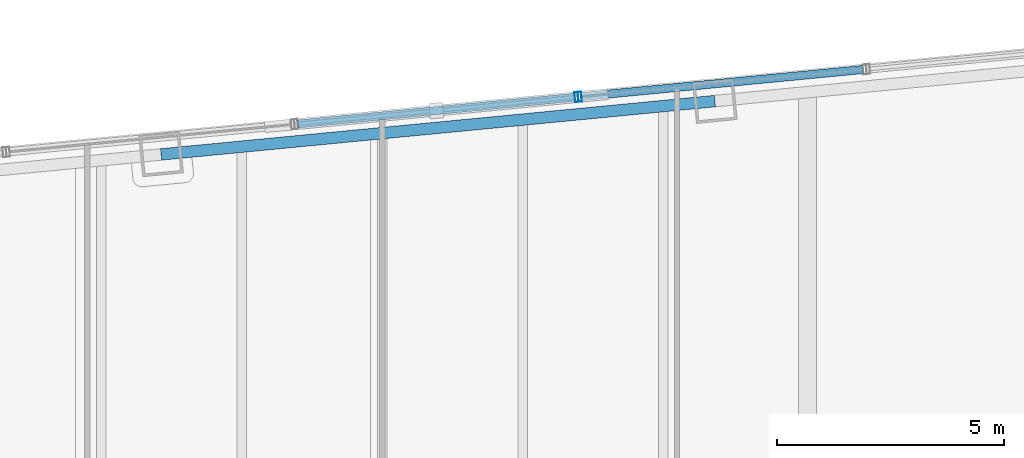
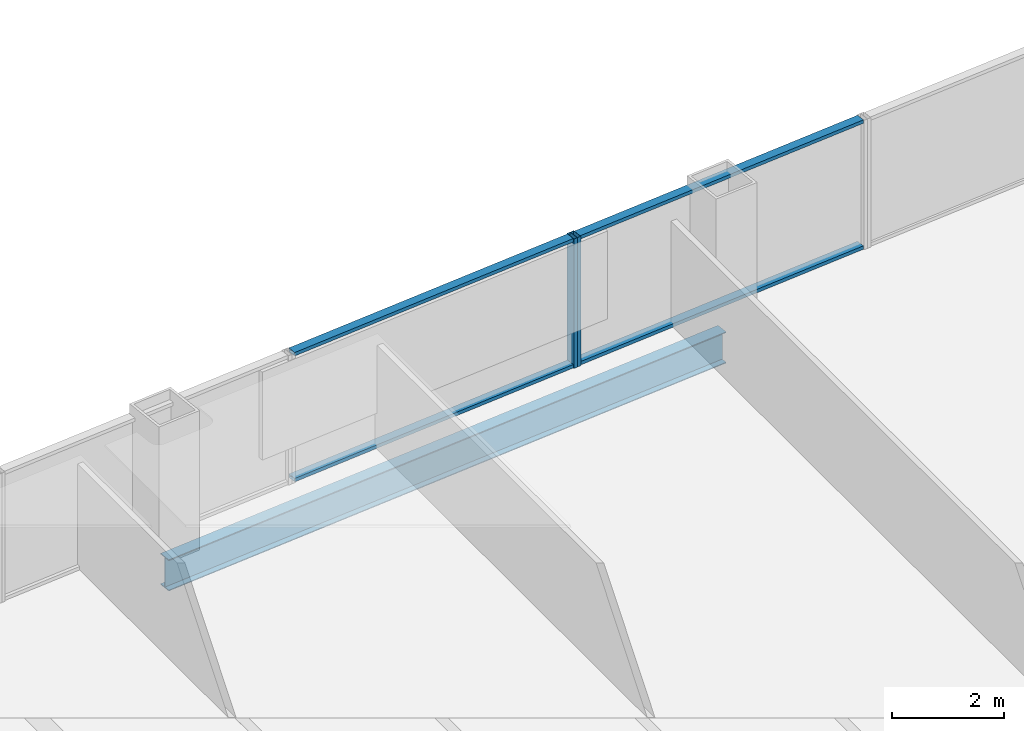
# One storey, part 18 of 28: 6 members, 1 beam, 2 elements without a shape of their own.
"""IFC4 building model written with IfcOpenShell, lengths in metres."""

from ifc_helpers import new_model, si_unit, direction, frame, origin, origin_2d, place, context, subcontext, project, spatial, hollow_rectangle, i_section, extrude, material, layer, layer_set, material_profile, profile_set, type_object, element, aggregate, save


model = new_model("IFC4")

# Units and contexts
model_context = context("Model", 3, precision=1e-05, world=origin(), true_north=direction((0.0, 1.0)))
body_context = subcontext(model_context, "Body", "Model", "MODEL_VIEW")
ifc_project = project(units=[si_unit("LENGTHUNIT", "METRE"), si_unit("AREAUNIT", "SQUARE_METRE"), si_unit("VOLUMEUNIT", "CUBIC_METRE"), si_unit("PLANEANGLEUNIT", "RADIAN"), si_unit("MASSUNIT", "GRAM", prefix="KILO")], contexts=[model_context])

# Site, building, storey
site_placement = place(None, origin())
site = spatial("IfcSite", under=ifc_project, at=site_placement, CompositionType="ELEMENT")
building_placement = place(site_placement, origin())
building = spatial("IfcBuilding", under=site, at=building_placement, Name="Qhalaya Broadcast Tower", CompositionType="ELEMENT")
storey_placement = place(building_placement, frame((0.0, 0.0, 90.800048828125)))
storey = spatial("IfcBuildingStorey", under=building, at=storey_placement, Name="L26", CompositionType="ELEMENT", Elevation=90.800048828125)

# Beam
ifc_material_1 = material(Name="Structural Steel ASTM A992 Grade 50", Category="steel")
ifc_material_profile_1 = material_profile(ifc_material_1, i_section(OverallWidth=0.25390625, OverallDepth=0.68310546875, WebThickness=0.012451171875, FlangeThickness=0.01904296875, at=origin_2d()), Name="W27X94")
ifc_profile_set_1 = profile_set([ifc_material_profile_1], Name="Structural Steel ASTM A992 Grade 50")
beam_type = type_object("IfcBeamType", Name="Perimeter Ring Spandrel Beam SP1", PredefinedType="SPANDREL", material=ifc_profile_set_1)
beam_placement = place(storey_placement, frame((7.335205078125, 28.116943359375, -0.5615234375), z_axis=(-0.99539563662, -0.095851586307, 0.0), x_axis=(0.095851586307, -0.99539563662, 0.0)))
element("IfcBeam", 1, at=beam_placement, inside=storey, type_object=beam_type, Name="L26 SP1 L26-SPR-10", PredefinedType="SPANDREL", context=body_context, shape_type="SweptSolid", body=[
    extrude(i_section(OverallWidth=0.25390625, OverallDepth=0.68310546875, WebThickness=0.012451171875, FlangeThickness=0.01904296875, at=origin_2d()), origin(), (0.0, 0.0, 1.0), 12.2666015625),
])

# Curtain wall, member
ifc_material_2 = material(Name="Solar-Control Low-E Triple Glazing", Category="glass")
ifc_layer_1 = layer(ifc_material_2, 0.219970703125, Name="Solar-Control Low-E Triple Glazing")
ifc_layer_set_1 = layer_set([ifc_layer_1], Name="Solar-Control Low-E Triple Glazing")
curtain_wall_type_1 = type_object("IfcCurtainWallType", Name="Even-Block 4-Storey Double-Module Curtain Wall CW-03", PredefinedType="NOTDEFINED", material=ifc_layer_set_1)
curtain_wall_1_placement = place(storey_placement, origin())
curtain_wall_1 = element("IfcCurtainWall", 2, at=curtain_wall_1_placement, inside=storey, type_object=curtain_wall_type_1, Name="L26 Unitised Curtain Wall L26-CW-N3", PredefinedType="NOTDEFINED")
ifc_material_3 = material(Name="Anodised Aluminium 6063-T6", Category="aluminium")
ifc_material_profile_2 = material_profile(ifc_material_3, hollow_rectangle(XDim=0.074951171875, YDim=0.219970703125, WallThickness=0.00390625, at=origin_2d()), Name="ALU-MUL 75x220x4")
ifc_profile_set_2 = profile_set([ifc_material_profile_2], Name="Anodised Aluminium 6063-T6")
member_type_1 = type_object("IfcMemberType", Name="Unitised Curtain-Wall Mullion M01", PredefinedType="MULLION", material=ifc_profile_set_2)
member_1_placement = place(storey_placement, frame((4.357666015625, 28.2119140625, 0.0), z_axis=(0.0, 0.0, 1.0), x_axis=(-0.99539731409, -0.095834164588, 0.0)))
member_1 = element("IfcMember", 3, at=member_1_placement, type_object=member_type_1, Name="CW-03 mullion 2", PredefinedType="MULLION", context=body_context, shape_type="SweptSolid", body=[
    extrude(hollow_rectangle(XDim=0.074951171875, YDim=0.219970703125, WallThickness=0.00390625, at=origin_2d()), origin(), (0.0, 0.0, 1.0), 2.829833984375),
])

ifc_material_4 = material(Name="Fired Architectural Terracotta", Category="masonry")
ifc_layer_2 = layer(ifc_material_4, 0.219970703125, Name="Fired Architectural Terracotta")
ifc_layer_set_2 = layer_set([ifc_layer_2], Name="Fired Architectural Terracotta")
curtain_wall_type_2 = type_object("IfcCurtainWallType", Name="Block-Cap Unitised Terracotta Spandrel Wall CW-07", PredefinedType="NOTDEFINED", material=ifc_layer_set_2)
curtain_wall_2_placement = place(storey_placement, origin())
curtain_wall_2 = element("IfcCurtainWall", 4, at=curtain_wall_2_placement, inside=storey, type_object=curtain_wall_type_2, Name="L26 Unitised Curtain Wall L26-CW-N4", PredefinedType="NOTDEFINED")
member_2_placement = place(storey_placement, frame((4.282958984375, 28.204833984375, 0.0), z_axis=(0.0, 0.0, 1.0), x_axis=(-0.995394756218, -0.095860728627, 0.0)))
member_2 = element("IfcMember", 5, at=member_2_placement, type_object=member_type_1, Name="CW-07 mullion 1", PredefinedType="MULLION", context=body_context, shape_type="SweptSolid", body=[
    extrude(hollow_rectangle(XDim=0.074951171875, YDim=0.219970703125, WallThickness=0.00390625, at=origin_2d()), origin(), (0.0, 0.0, 1.0), 2.829833984375),
])

# Member
ifc_material_profile_3 = material_profile(ifc_material_3, hollow_rectangle(XDim=0.074951171875, YDim=0.179931640625, WallThickness=0.00390625, at=origin_2d()), Name="ALU-TRN 75x180x4")
ifc_profile_set_3 = profile_set([ifc_material_profile_3], Name="Anodised Aluminium 6063-T6")
member_type_2 = type_object("IfcMemberType", Name="Unitised Curtain-Wall Transom T01", PredefinedType="USERDEFINED", material=ifc_profile_set_3)
member_3_placement = place(storey_placement, frame((10.601318359375, 28.813232421875, 0.037353515625), z_axis=(-0.995395316305, -0.095854912644, 0.0), x_axis=(0.0, 0.0, 1.0)))
member_3 = element("IfcMember", 6, at=member_3_placement, type_object=member_type_2, Name="CW-03 transom 1.1", ObjectType="TRANSOM", PredefinedType="USERDEFINED", context=body_context, shape_type="SweptSolid", body=[
    extrude(hollow_rectangle(XDim=0.074951171875, YDim=0.179931640625, WallThickness=0.00390625, at=origin_2d()), origin(), (0.0, 0.0, 1.0), 6.235107421875),
])

member_4_placement = place(storey_placement, frame((10.601318359375, 28.813232421875, 2.79248046875), z_axis=(-0.995395316305, -0.095854912644, 0.0), x_axis=(0.0, 0.0, 1.0)))
member_4 = element("IfcMember", 7, at=member_4_placement, type_object=member_type_2, Name="CW-03 transom 1.2", ObjectType="TRANSOM", PredefinedType="USERDEFINED", context=body_context, shape_type="SweptSolid", body=[
    extrude(hollow_rectangle(XDim=0.074951171875, YDim=0.179931640625, WallThickness=0.00390625, at=origin_2d()), origin(), (0.0, 0.0, 1.0), 6.235107421875),
])

aggregate(curtain_wall_1, [member_1, member_3, member_4])

member_5_placement = place(storey_placement, frame((4.24560546875, 28.201171875, 0.037353515625), z_axis=(-0.995393624536, -0.095872479016, 0.0), x_axis=(0.0, 0.0, 1.0)))
member_5 = element("IfcMember", 8, at=member_5_placement, type_object=member_type_2, Name="CW-07 transom 1.1", ObjectType="TRANSOM", PredefinedType="USERDEFINED", context=body_context, shape_type="SweptSolid", body=[
    extrude(hollow_rectangle(XDim=0.074951171875, YDim=0.179931640625, WallThickness=0.00390625, at=origin_2d()), origin(), (0.0, 0.0, 1.0), 6.132080078125),
])

member_6_placement = place(storey_placement, frame((4.24560546875, 28.201171875, 2.79248046875), z_axis=(-0.995393624536, -0.095872479016, 0.0), x_axis=(0.0, 0.0, 1.0)))
member_6 = element("IfcMember", 9, at=member_6_placement, type_object=member_type_2, Name="CW-07 transom 1.2", ObjectType="TRANSOM", PredefinedType="USERDEFINED", context=body_context, shape_type="SweptSolid", body=[
    extrude(hollow_rectangle(XDim=0.074951171875, YDim=0.179931640625, WallThickness=0.00390625, at=origin_2d()), origin(), (0.0, 0.0, 1.0), 6.132080078125),
])

aggregate(curtain_wall_2, [member_2, member_5, member_6])

save(model, "model.ifc")
